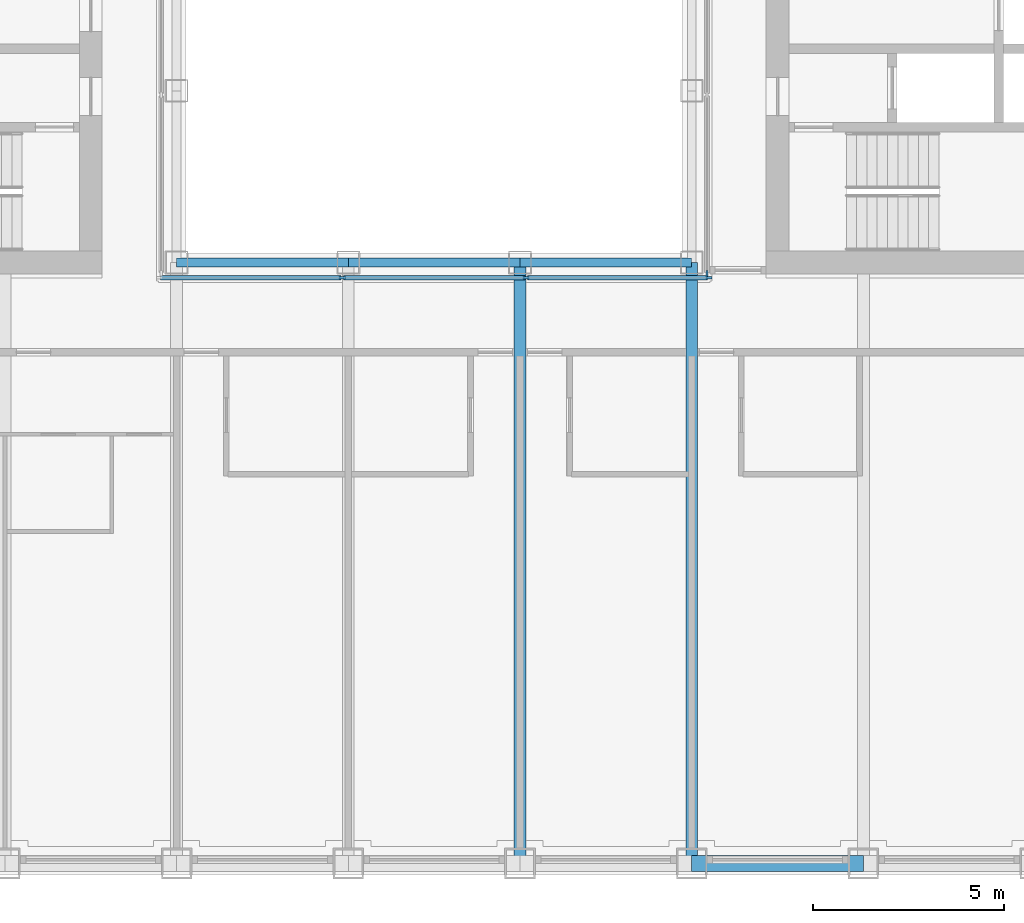
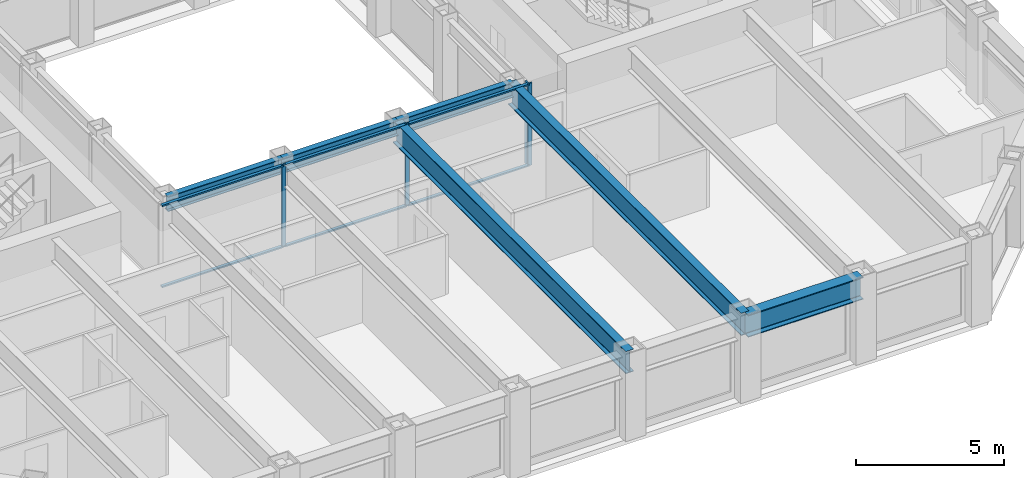
# One storey, part 3 of 18: 10 members, 6 beams, 2 elements without a shape of their own.
"""IFC4 building model written with IfcOpenShell, lengths in metres."""

from ifc_helpers import new_model, si_unit, direction, frame, origin, origin_2d, place, context, subcontext, project, spatial, rectangle, i_section, extrude, material, material_profile, profile_set, type_object, element, aggregate, save


model = new_model("IFC4")

# Units and contexts
model_context = context("Model", 3, precision=1e-05, world=origin(), true_north=direction((0.0, 1.0)))
body_context = subcontext(model_context, "Body", "Model", "MODEL_VIEW")
ifc_project = project(units=[si_unit("LENGTHUNIT", "METRE"), si_unit("AREAUNIT", "SQUARE_METRE"), si_unit("VOLUMEUNIT", "CUBIC_METRE"), si_unit("PLANEANGLEUNIT", "RADIAN"), si_unit("MASSUNIT", "GRAM", prefix="KILO")], contexts=[model_context])

# Site, building, storey
site_placement = place(None, origin())
site = spatial("IfcSite", under=ifc_project, at=site_placement, CompositionType="ELEMENT")
building_placement = place(site_placement, origin())
building = spatial("IfcBuilding", under=site, at=building_placement, Name="Msasa Ring Tower", CompositionType="ELEMENT")
storey_placement = place(building_placement, frame((0.0, 0.0, 183.199951171875)))
storey = spatial("IfcBuildingStorey", under=building, at=storey_placement, Name="L48", CompositionType="ELEMENT", Elevation=183.199951171875)

# Curtain wall, members
ifc_material_1 = material(Name="Aluminium curtain wall with clear glass", Category="aluminium")
curtain_wall_type = type_object("IfcCurtainWallType", Name="CW-W LIGHT WELL CURTAIN WALL", PredefinedType="NOTDEFINED", material=ifc_material_1)
curtain_wall_1_placement = place(storey_placement, origin())
curtain_wall_1 = element("IfcCurtainWall", 1, at=curtain_wall_1_placement, inside=storey, type_object=curtain_wall_type, Name="Light well curtain wall S L48", PredefinedType="NOTDEFINED")
ifc_material_2 = material(Name="Aluminium mullion", Category="aluminium")
ifc_material_profile_1 = material_profile(ifc_material_2, rectangle(XDim=0.06005859375, YDim=0.159912109375, at=origin_2d()), Name="AL 60x160")
ifc_profile_set_1 = profile_set([ifc_material_profile_1], Name="Aluminium mullion")
member_type_1 = type_object("IfcMemberType", Name="CW-W MULLION 60x160", PredefinedType="MULLION", material=ifc_profile_set_1)
member_1_placement = place(storey_placement, frame((-2.409912109375, -7.14990234375, 0.0), z_axis=(0.0, 0.0, 1.0), x_axis=(0.0, 1.0, 0.0)))
member_1 = element("IfcMember", 2, at=member_1_placement, type_object=member_type_1, Name="CW-W mullion 2", PredefinedType="MULLION", context=body_context, shape_type="SweptSolid", body=[
    extrude(rectangle(XDim=0.06005859375, YDim=0.159912109375, at=origin_2d()), origin(), (0.0, 0.0, 1.0), 3.400146484375),
])
member_2_placement = place(storey_placement, frame((2.409912109375, -7.14990234375, 0.0), z_axis=(0.0, 0.0, 1.0), x_axis=(0.0, 1.0, 0.0)))
member_2 = element("IfcMember", 3, at=member_2_placement, type_object=member_type_1, Name="CW-W mullion 3", PredefinedType="MULLION", context=body_context, shape_type="SweptSolid", body=[
    extrude(rectangle(XDim=0.06005859375, YDim=0.159912109375, at=origin_2d()), origin(), (0.0, 0.0, 1.0), 3.400146484375),
])
member_3_placement = place(storey_placement, frame((7.199951171875, -7.14990234375, 0.0), z_axis=(0.0, 0.0, 1.0), x_axis=(0.0, 1.0, 0.0)))
member_3 = element("IfcMember", 4, at=member_3_placement, type_object=member_type_1, Name="CW-W mullion 4", PredefinedType="MULLION", context=body_context, shape_type="SweptSolid", body=[
    extrude(rectangle(XDim=0.06005859375, YDim=0.159912109375, at=origin_2d()), origin(), (0.0, 0.0, 1.0), 3.400146484375),
])

# Curtain wall, member
curtain_wall_2_placement = place(storey_placement, origin())
curtain_wall_2 = element("IfcCurtainWall", 5, at=curtain_wall_2_placement, inside=storey, type_object=curtain_wall_type, Name="Light well curtain wall E L48", PredefinedType="NOTDEFINED")
member_4_placement = place(storey_placement, frame((7.14990234375, -7.0400390625, 0.0), z_axis=(0.0, 0.0, 1.0), x_axis=(-1.0, 0.0, 0.0)))
member_4 = element("IfcMember", 6, at=member_4_placement, type_object=member_type_1, Name="CW-W mullion 1", PredefinedType="MULLION", context=body_context, shape_type="SweptSolid", body=[
    extrude(rectangle(XDim=0.06005859375, YDim=0.159912109375, at=origin_2d()), origin(), (0.0, 0.0, 1.0), 3.400146484375),
])
aggregate(curtain_wall_2, [member_4])

# Member
ifc_material_3 = material(Name="Aluminium transom", Category="aluminium")
ifc_material_profile_2 = material_profile(ifc_material_3, rectangle(XDim=0.1201171875, YDim=0.06005859375, at=origin_2d()), Name="AL 60x120")
ifc_profile_set_2 = profile_set([ifc_material_profile_2], Name="Aluminium transom")
member_type_2 = type_object("IfcMemberType", Name="CW-W TRANSOM 60x120", PredefinedType="USERDEFINED", material=ifc_profile_set_2)
member_5_placement = place(storey_placement, frame((-7.169921875, -7.14990234375, 0.030029296875), z_axis=(1.0, 0.0, 0.0), x_axis=(0.0, 1.0, 0.0)))
member_5 = element("IfcMember", 7, at=member_5_placement, type_object=member_type_2, Name="CW-W transom 1.1", ObjectType="TRANSOM", PredefinedType="USERDEFINED", context=body_context, shape_type="SweptSolid", body=[
    extrude(rectangle(XDim=0.1201171875, YDim=0.06005859375, at=origin_2d()), origin(), (0.0, 0.0, 1.0), 4.72998046875),
])

member_6_placement = place(storey_placement, frame((-7.169921875, -7.14990234375, 3.3701171875), z_axis=(1.0, 0.0, 0.0), x_axis=(0.0, 1.0, 0.0)))
member_6 = element("IfcMember", 8, at=member_6_placement, type_object=member_type_2, Name="CW-W transom 1.2", ObjectType="TRANSOM", PredefinedType="USERDEFINED", context=body_context, shape_type="SweptSolid", body=[
    extrude(rectangle(XDim=0.1201171875, YDim=0.06005859375, at=origin_2d()), origin(), (0.0, 0.0, 1.0), 4.72998046875),
])

member_7_placement = place(storey_placement, frame((-2.3798828125, -7.14990234375, 0.030029296875), z_axis=(1.0, 0.0, 0.0), x_axis=(0.0, 1.0, 0.0)))
member_7 = element("IfcMember", 9, at=member_7_placement, type_object=member_type_2, Name="CW-W transom 2.1", ObjectType="TRANSOM", PredefinedType="USERDEFINED", context=body_context, shape_type="SweptSolid", body=[
    extrude(rectangle(XDim=0.1201171875, YDim=0.06005859375, at=origin_2d()), origin(), (0.0, 0.0, 1.0), 4.759765625),
])

member_8_placement = place(storey_placement, frame((-2.3798828125, -7.14990234375, 3.3701171875), z_axis=(1.0, 0.0, 0.0), x_axis=(0.0, 1.0, 0.0)))
member_8 = element("IfcMember", 10, at=member_8_placement, type_object=member_type_2, Name="CW-W transom 2.2", ObjectType="TRANSOM", PredefinedType="USERDEFINED", context=body_context, shape_type="SweptSolid", body=[
    extrude(rectangle(XDim=0.1201171875, YDim=0.06005859375, at=origin_2d()), origin(), (0.0, 0.0, 1.0), 4.759765625),
])

member_9_placement = place(storey_placement, frame((2.43994140625, -7.14990234375, 0.030029296875), z_axis=(1.0, 0.0, 0.0), x_axis=(0.0, 1.0, 0.0)))
member_9 = element("IfcMember", 11, at=member_9_placement, type_object=member_type_2, Name="CW-W transom 3.1", ObjectType="TRANSOM", PredefinedType="USERDEFINED", context=body_context, shape_type="SweptSolid", body=[
    extrude(rectangle(XDim=0.1201171875, YDim=0.06005859375, at=origin_2d()), origin(), (0.0, 0.0, 1.0), 4.72998046875),
])

member_10_placement = place(storey_placement, frame((2.43994140625, -7.14990234375, 3.3701171875), z_axis=(1.0, 0.0, 0.0), x_axis=(0.0, 1.0, 0.0)))
member_10 = element("IfcMember", 12, at=member_10_placement, type_object=member_type_2, Name="CW-W transom 3.2", ObjectType="TRANSOM", PredefinedType="USERDEFINED", context=body_context, shape_type="SweptSolid", body=[
    extrude(rectangle(XDim=0.1201171875, YDim=0.06005859375, at=origin_2d()), origin(), (0.0, 0.0, 1.0), 4.72998046875),
])

aggregate(curtain_wall_1, [member_1, member_2, member_3, member_5, member_6, member_7, member_8, member_9, member_10])

# Beams
ifc_material_4 = material(Name="Steel S355", Category="steel")
ifc_material_profile_3 = material_profile(ifc_material_4, i_section(OverallWidth=0.3076171875, OverallDepth=0.926513671875, WebThickness=0.01953125, FlangeThickness=0.031982421875, FilletRadius=0.01904296875, at=origin_2d()), Name="UB 914x305x289")
ifc_profile_set_3 = profile_set([ifc_material_profile_3], Name="Steel S355")
beam_type_1 = type_object("IfcBeamType", Name="FB3 UB 914x305x289", PredefinedType="BEAM", material=ifc_profile_set_3)
for number, where, z_axis, x_axis, name in (
    (13, (2.25, -22.5, 2.936767578125), (0.0, 1.0, 0.0), (-1.0, 0.0, 0.0), "Floor beam S+2.25 under L49"),
    (14, (6.75, -22.5, 2.936767578125), (0.0, 1.0, 0.0), (-1.0, 0.0, 0.0), "Floor beam S+6.75 under L49"),
):
    element("IfcBeam", number, at=place(storey_placement, frame(where, z_axis=z_axis, x_axis=x_axis)), inside=storey, type_object=beam_type_1, Name=name, PredefinedType="BEAM", context=body_context, shape_type="SweptSolid", body=[
        extrude(i_section(OverallWidth=0.3076171875, OverallDepth=0.926513671875, WebThickness=0.01953125, FlangeThickness=0.031982421875, FilletRadius=0.01904296875, at=origin_2d()), origin(), (0.0, 0.0, 1.0), 15.75),
    ])
ifc_material_5 = material(Name="Steel S355", Category="steel")
ifc_material_profile_4 = material_profile(ifc_material_5, i_section(OverallWidth=0.230224609375, OverallDepth=0.6171875, WebThickness=0.01318359375, FlangeThickness=0.022216796875, FilletRadius=0.0126953125, at=origin_2d()), Name="UB 610x229x140")
ifc_profile_set_4 = profile_set([ifc_material_profile_4], Name="Steel S355")
beam_type_2 = type_object("IfcBeamType", Name="RB1 UB 610x229x140", PredefinedType="BEAM", material=ifc_profile_set_4)
for number, where, z_axis, x_axis, name in (
    (15, (-6.75, -6.75, 3.091552734375), (1.0, 0.0, 0.0), (0.0, 1.0, 0.0), "Inner ring beam IR-6.75-6.75 under L49"),
    (16, (-2.25, -6.75, 3.091552734375), (1.0, 0.0, 0.0), (0.0, 1.0, 0.0), "Inner ring beam IR-2.25-6.75 under L49"),
    (17, (2.25, -6.75, 3.091552734375), (1.0, 0.0, 0.0), (0.0, 1.0, 0.0), "Inner ring beam IR+2.25-6.75 under L49"),
):
    element("IfcBeam", number, at=place(storey_placement, frame(where, z_axis=z_axis, x_axis=x_axis)), inside=storey, type_object=beam_type_2, Name=name, PredefinedType="BEAM", context=body_context, shape_type="SweptSolid", body=[
        extrude(i_section(OverallWidth=0.230224609375, OverallDepth=0.6171875, WebThickness=0.01318359375, FlangeThickness=0.022216796875, FilletRadius=0.0126953125, at=origin_2d()), origin(), (0.0, 0.0, 1.0), 4.5),
    ])
ifc_material_6 = material(Name="Steel S355", Category="steel")
ifc_material_profile_5 = material_profile(ifc_material_6, i_section(OverallWidth=0.42041015625, OverallDepth=0.9208984375, WebThickness=0.021484375, FlangeThickness=0.03662109375, FilletRadius=0.024169921875, at=origin_2d()), Name="UB 914x419x388")
ifc_profile_set_5 = profile_set([ifc_material_profile_5], Name="Steel S355")
beam_type_3 = type_object("IfcBeamType", Name="SB1 UB 914x419x388", PredefinedType="SPANDREL", material=ifc_profile_set_5)
beam_placement = place(storey_placement, frame((6.75, -22.5, 2.939453125), z_axis=(1.0, 0.0, 0.0), x_axis=(0.0, 1.0, 0.0)))
element("IfcBeam", 18, at=beam_placement, inside=storey, type_object=beam_type_3, Name="Spandrel S+6.75 to S+11.25 under L49", PredefinedType="SPANDREL", context=body_context, shape_type="SweptSolid", body=[
    extrude(i_section(OverallWidth=0.42041015625, OverallDepth=0.9208984375, WebThickness=0.021484375, FlangeThickness=0.03662109375, FilletRadius=0.024169921875, at=origin_2d()), origin(), (0.0, 0.0, 1.0), 4.5),
])

save(model, "model.ifc")
